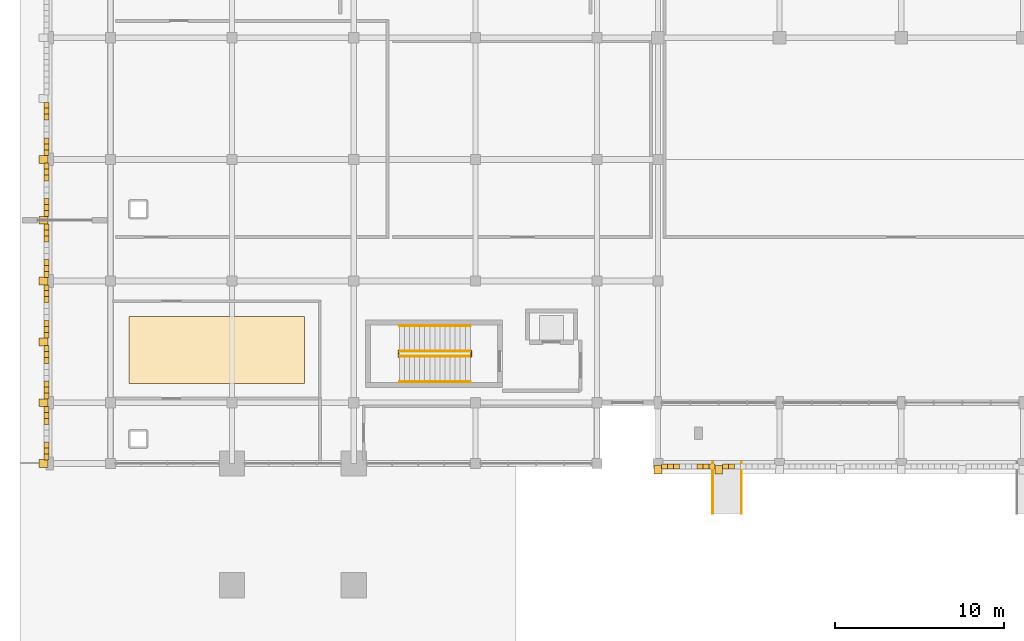
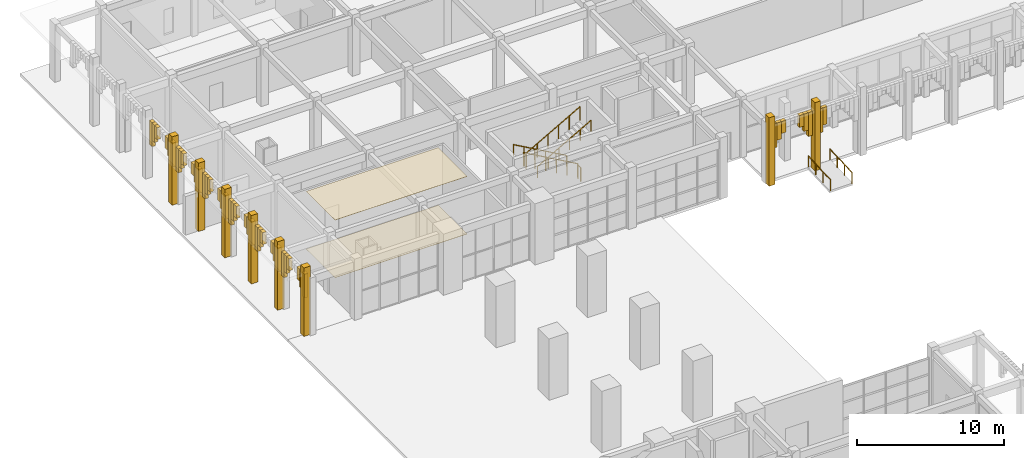
# One storey, part 51 of 72: 54 coverings, 8 railings.
"""IFC4 building model written with IfcOpenShell, lengths in metres."""

import ifcopenshell
import ifcopenshell.guid

model = None  # the IFC model being written
_history = None  # IfcOwnerHistory: only IFC2X3 demands one
_inside = {}  # id of a spatial element -> (the spatial element, [elements in it])
_under = {}  # id of a project, library or spatial element -> (it, [spatial elements below it])
_declared = {}  # id of a project -> (the project, [libraries it declares])
_typed = {}  # id of a type object -> (the type object, [elements of that type])
_made_of = {}  # id of a material, layer set ... -> (it, [elements and type objects made of it])


def new_model(schema):
    """Start an empty IFC model of exactly this schema.

    Asked for "IFC4X3", IfcOpenShell would pick the latest addendum, in which some entities
    have other attributes; the version numbers below select the first issue.
    IFC2X3 requires an IfcOwnerHistory on every rooted entity: one is made here for all.
    """
    global model, _history
    if schema == "IFC4X3":
        model = ifcopenshell.file(schema_version=(4, 3, 0, 0))
    else:
        model = ifcopenshell.file(schema=schema)
    _inside.clear()
    _under.clear()
    _declared.clear()
    _typed.clear()
    _made_of.clear()
    _history = None
    if model.schema == "IFC2X3":
        org = make("IfcOrganization", Name="unknown")
        user = make(
            "IfcPersonAndOrganization",
            ThePerson=make("IfcPerson", FamilyName="unknown"),
            TheOrganization=org,
        )
        app = make(
            "IfcApplication",
            ApplicationDeveloper=org,
            Version="unknown",
            ApplicationFullName="unknown",
            ApplicationIdentifier="unknown",
        )
        _history = make(
            "IfcOwnerHistory",
            OwningUser=user,
            OwningApplication=app,
            ChangeAction="ADDED",
            CreationDate=0,
        )
    return model


def make(cls, **values):
    """One entity of the class cls with the attributes given. An attribute that is None is left unset."""
    return model.create_entity(
        cls, **{name: value for name, value in values.items() if value is not None}
    )


def rooted(cls, **values):
    """An entity with a GlobalId (a new one), such as an element, a storey or a relation."""
    return make(cls, GlobalId=ifcopenshell.guid.new(), OwnerHistory=_history, **values)


def si_unit(unit_type, name, prefix=None):
    """IfcSIUnit, for example si_unit("LENGTHUNIT", "METRE", prefix="MILLI")."""
    return make("IfcSIUnit", UnitType=unit_type, Prefix=prefix, Name=name)


def assignment(units):
    """IfcUnitAssignment: the units of a project."""
    return None if units is None else make("IfcUnitAssignment", Units=units)


def point(xyz):
    """IfcCartesianPoint."""
    return None if xyz is None else make("IfcCartesianPoint", Coordinates=xyz)


def direction(xyz):
    """IfcDirection."""
    return None if xyz is None else make("IfcDirection", DirectionRatios=xyz)


def frame(location, z_axis=None, x_axis=None):
    """IfcAxis2Placement3D, a coordinate frame: its origin and axes. An axis left out is left unset."""
    return make(
        "IfcAxis2Placement3D",
        Location=point(location),
        Axis=direction(z_axis),
        RefDirection=direction(x_axis),
    )


def frame_2d(location, x_axis=None):
    """IfcAxis2Placement2D, a coordinate frame in the plane: its origin and x axis."""
    return make(
        "IfcAxis2Placement2D", Location=point(location), RefDirection=direction(x_axis)
    )


def origin():
    """The frame at (0, 0, 0) with its axes left unset."""
    return frame((0.0, 0.0, 0.0))


def origin_2d():
    """The frame at (0, 0) in the plane with its x axis left unset."""
    return frame_2d((0.0, 0.0))


def place(relative_to, where):
    """IfcLocalPlacement: puts the frame where relative to a parent placement (None: the world)."""
    return make(
        "IfcLocalPlacement", PlacementRelTo=relative_to, RelativePlacement=where
    )


def context(
    kind, dimensions, precision=None, world=None, true_north=None, identifier=None
):
    """IfcGeometricRepresentationContext, for example the 3D "Model" context."""
    return make(
        "IfcGeometricRepresentationContext",
        ContextIdentifier=identifier,
        ContextType=kind,
        CoordinateSpaceDimension=dimensions,
        Precision=precision,
        WorldCoordinateSystem=world,
        TrueNorth=true_north,
    )


def subcontext(parent, identifier, kind, view, scale=None):
    """IfcGeometricRepresentationSubContext, for example "Body" below "Model"."""
    return make(
        "IfcGeometricRepresentationSubContext",
        ContextIdentifier=identifier,
        ContextType=kind,
        ParentContext=parent,
        TargetScale=scale,
        TargetView=view,
    )


def project(units=None, contexts=None):
    """IfcProject with its units and contexts."""
    return rooted(
        "IfcProject",
        Name="project",
        RepresentationContexts=contexts,
        UnitsInContext=assignment(units),
    )


def spatial(cls, under=None, at=None, **own):
    """A site, building, storey or space (cls), placed at a placement, below another one or the project."""
    s = rooted(cls, ObjectPlacement=at, **own)
    if under is not None:
        _under.setdefault(under.id(), (under, []))[1].append(s)
    return s


def polyline(points):
    """IfcPolyline through the points."""
    return make("IfcPolyline", Points=[point(p) for p in points])


def profile(cls, at=None, kind="AREA", **sizes):
    """A parametric profile (cls). Its sizes go by their IFC names, for example OverallWidth=200.0."""
    return make(cls, ProfileType=kind, Position=at, **sizes)


def rectangle(**sizes):
    """IfcRectangleProfileDef."""
    return profile("IfcRectangleProfileDef", **sizes)


def circle(**sizes):
    """IfcCircleProfileDef."""
    return profile("IfcCircleProfileDef", **sizes)


def outline(outer, holes=None, kind="AREA"):
    """IfcArbitraryClosedProfileDef: a profile drawn as a closed curve; with holes, ...WithVoids."""
    if holes is None:
        return make("IfcArbitraryClosedProfileDef", ProfileType=kind, OuterCurve=outer)
    return make(
        "IfcArbitraryProfileDefWithVoids",
        ProfileType=kind,
        OuterCurve=outer,
        InnerCurves=holes,
    )


def extrude(swept, where, along, depth):
    """IfcExtrudedAreaSolid: the profile swept, set in the frame where, extruded along a direction by depth."""
    return make(
        "IfcExtrudedAreaSolid",
        SweptArea=swept,
        Position=where,
        ExtrudedDirection=direction(along),
        Depth=depth,
    )


def shape(context_of_items, identifier, shape_type, items):
    """IfcShapeRepresentation: the items that make up one representation, for example the "Body"."""
    return make(
        "IfcShapeRepresentation",
        ContextOfItems=context_of_items,
        RepresentationIdentifier=identifier,
        RepresentationType=shape_type,
        Items=items,
    )


def material(Name=None, Category=None):
    """IfcMaterial."""
    return make("IfcMaterial", Name=Name, Category=Category)


def layer(
    of_material, thickness, ventilated=None, Name=None, Category=None, Priority=None
):
    """IfcMaterialLayer: one layer of a wall or slab, of a material (None: an air gap)."""
    return make(
        "IfcMaterialLayer",
        Material=of_material,
        LayerThickness=thickness,
        IsVentilated=ventilated,
        Name=Name,
        Category=Category,
        Priority=Priority,
    )


def layer_set(layers, Name=None):
    """IfcMaterialLayerSet."""
    return make("IfcMaterialLayerSet", MaterialLayers=layers, LayerSetName=Name)


def made_of(thing, what):
    """Note that an element or type object is made of a material, layer set ...; save() writes the relation."""
    if what is not None:
        _made_of.setdefault(what.id(), (what, []))[1].append(thing)
    return thing


def type_object(cls, material=None, **own):
    """A type object (cls), such as IfcWallType, which elements share."""
    return made_of(rooted(cls, **own), material)


def element(
    cls,
    number,
    at=None,
    inside=None,
    cuts=None,
    type_object=None,
    material=None,
    context=None,
    identifier="Body",
    shape_type=None,
    held_by="IfcProductDefinitionShape",
    body=None,
    shapes=None,
    **own,
):
    """One element of the class cls, such as IfcWall. Its Tag is "e" and its number.

    at: its placement. inside: the storey or other place that contains it. cuts: it is an
    opening in that element (IfcRelVoidsElement). A single representation is given by context,
    identifier, shape_type and body (its items); several are given by shapes. held_by: the class
    of the entity that holds the representations. save() writes the other relations.
    """
    e = rooted(cls, Tag="e%d" % number, ObjectPlacement=at, **own)
    if body is not None:
        shapes = [shape(context, identifier, shape_type, body)]
    if shapes is not None:
        e.Representation = make(held_by, Representations=shapes)
    if inside is not None:
        _inside.setdefault(inside.id(), (inside, []))[1].append(e)
    if cuts is not None:
        rooted(
            "IfcRelVoidsElement", RelatingBuildingElement=cuts, RelatedOpeningElement=e
        )
    if type_object is not None:
        _typed.setdefault(type_object.id(), (type_object, []))[1].append(e)
    return made_of(e, material)


def aggregate(whole, parts):
    """IfcRelAggregates: a whole, such as a stair, and the parts it consists of."""
    return rooted("IfcRelAggregates", RelatingObject=whole, RelatedObjects=parts)


def save(model, path):
    """Write the relations noted so far, then the file.

    IfcRelAggregates (storeys below a building ...), IfcRelContainedInSpatialStructure (elements
    in a storey), IfcRelDefinesByType, IfcRelAssociatesMaterial and IfcRelDeclares: one each for
    every whole, place, type object, material and project.
    """
    for whole, parts in _under.values():
        aggregate(whole, parts)
    for where, things in _inside.values():
        rooted(
            "IfcRelContainedInSpatialStructure",
            RelatedElements=things,
            RelatingStructure=where,
        )
    for kind, things in _typed.values():
        rooted("IfcRelDefinesByType", RelatedObjects=things, RelatingType=kind)
    for what, things in _made_of.values():
        rooted("IfcRelAssociatesMaterial", RelatedObjects=things, RelatingMaterial=what)
    for by, libraries in _declared.values():
        rooted("IfcRelDeclares", RelatingContext=by, RelatedDefinitions=libraries)
    model.write(path)


model = new_model("IFC4")

# Units and contexts
model_context = context("Model", 3, precision=1e-05, world=origin(), true_north=direction((0.0, 1.0)))
body_context = subcontext(model_context, "Body", "Model", "MODEL_VIEW")
ifc_project = project(units=[si_unit("LENGTHUNIT", "METRE"), si_unit("AREAUNIT", "SQUARE_METRE"), si_unit("VOLUMEUNIT", "CUBIC_METRE"), si_unit("PLANEANGLEUNIT", "RADIAN"), si_unit("MASSUNIT", "GRAM", prefix="KILO")], contexts=[model_context])

# Site, building, storey
site_placement = place(None, origin())
site = spatial("IfcSite", under=ifc_project, at=site_placement, CompositionType="ELEMENT")
building_placement = place(site_placement, origin())
building = spatial("IfcBuilding", under=site, at=building_placement, Name="Nzembalo Square Collegiate School", CompositionType="ELEMENT")
storey_placement = place(building_placement, origin())
storey = spatial("IfcBuildingStorey", under=building, at=storey_placement, Name="L00", CompositionType="ELEMENT", Elevation=0.0)

# Coverings
ifc_material_1 = material(Name="Precast concrete C40/50 arch voussoir", Category="concrete")
ifc_layer_1 = layer(ifc_material_1, 0.1201171875, Name="Precast concrete C40/50 arch voussoir")
ifc_layer_set_1 = layer_set([ifc_layer_1], Name="Precast concrete C40/50 arch voussoir")
covering_type_1 = type_object("IfcCoveringType", Name="AR01", PredefinedType="CLADDING", material=ifc_layer_set_1)
covering_1_placement = place(storey_placement, frame((4.6201171875, 79.595703125, 2.808349609375), z_axis=(0.0, 0.0, 1.0), x_axis=(1.0, 0.0, 0.0)))
element("IfcCovering", 1, at=covering_1_placement, inside=storey, type_object=covering_type_1, Name="Gothic pointed arch voussoir AR01-013-0", PredefinedType="CLADDING", context=body_context, shape_type="SweptSolid", body=[
    extrude(rectangle(XDim=0.280029296875, YDim=0.35107421875, at=origin_2d()), origin(), (0.0, 0.0, 1.0), 1.99169921875),
])
covering_2_placement = place(storey_placement, frame((4.6201171875, 79.94677734375, 3.361083984375), z_axis=(0.0, 0.0, 1.0), x_axis=(1.0, 0.0, 0.0)))
element("IfcCovering", 2, at=covering_2_placement, inside=storey, type_object=covering_type_1, Name="Gothic pointed arch voussoir AR01-013-1", PredefinedType="CLADDING", context=body_context, shape_type="SweptSolid", body=[
    extrude(rectangle(XDim=0.280029296875, YDim=0.35107421875, at=origin_2d()), origin(), (0.0, 0.0, 1.0), 1.43896484375),
])
for number, where, z_axis, x_axis, name in (
    (3, (4.6201171875, 80.297607421875, 3.810546875), (0.0, 0.0, 1.0), (1.0, 0.0, 0.0), "Gothic pointed arch voussoir AR01-013-2"),
    (4, (4.6201171875, 81.7021484375, 3.810546875), (0.0, 0.0, 1.0), (1.0, 0.0, 0.0), "Gothic pointed arch voussoir AR01-013-6"),
):
    element("IfcCovering", number, at=place(storey_placement, frame(where, z_axis=z_axis, x_axis=x_axis)), inside=storey, type_object=covering_type_1, Name=name, PredefinedType="CLADDING", context=body_context, shape_type="SweptSolid", body=[
        extrude(rectangle(XDim=0.280029296875, YDim=0.35107421875, at=origin_2d()), origin(), (0.0, 0.0, 1.0), 0.989501953125),
    ])
covering_3_placement = place(storey_placement, frame((4.6201171875, 82.05322265625, 3.361328125), z_axis=(0.0, 0.0, 1.0), x_axis=(1.0, 0.0, 0.0)))
element("IfcCovering", 5, at=covering_3_placement, inside=storey, type_object=covering_type_1, Name="Gothic pointed arch voussoir AR01-013-7", PredefinedType="CLADDING", context=body_context, shape_type="SweptSolid", body=[
    extrude(rectangle(XDim=0.280029296875, YDim=0.35107421875, at=origin_2d()), origin(), (0.0, 0.0, 1.0), 1.438720703125),
])
covering_4_placement = place(storey_placement, frame((4.6201171875, 82.404296875, 2.80859375), z_axis=(0.0, 0.0, 1.0), x_axis=(1.0, 0.0, 0.0)))
element("IfcCovering", 6, at=covering_4_placement, inside=storey, type_object=covering_type_1, Name="Gothic pointed arch voussoir AR01-013-8", PredefinedType="CLADDING", context=body_context, shape_type="SweptSolid", body=[
    extrude(rectangle(XDim=0.280029296875, YDim=0.35107421875, at=origin_2d()), origin(), (0.0, 0.0, 1.0), 1.991455078125),
])
covering_5_placement = place(storey_placement, frame((4.43994140625, 79.199951171875, 0.0), z_axis=(0.0, 0.0, 1.0), x_axis=(1.0, 0.0, 0.0)))
element("IfcCovering", 7, at=covering_5_placement, inside=storey, type_object=covering_type_1, Name="Gothic arcade buttress pinnacle AR01-B013", PredefinedType="CLADDING", context=body_context, shape_type="SweptSolid", body=[
    extrude(rectangle(XDim=0.52001953125, YDim=0.4599609375, at=origin_2d()), origin(), (0.0, 0.0, 1.0), 5.699951171875),
])
covering_6_placement = place(storey_placement, frame((4.6201171875, 83.195556640625, 2.808349609375), z_axis=(0.0, 0.0, 1.0), x_axis=(1.0, 0.0, 0.0)))
element("IfcCovering", 8, at=covering_6_placement, inside=storey, type_object=covering_type_1, Name="Gothic pointed arch voussoir AR01-014-0", PredefinedType="CLADDING", context=body_context, shape_type="SweptSolid", body=[
    extrude(rectangle(XDim=0.280029296875, YDim=0.35107421875, at=origin_2d()), origin(), (0.0, 0.0, 1.0), 1.99169921875),
])
covering_7_placement = place(storey_placement, frame((4.6201171875, 83.546630859375, 3.361083984375), z_axis=(0.0, 0.0, 1.0), x_axis=(1.0, 0.0, 0.0)))
element("IfcCovering", 9, at=covering_7_placement, inside=storey, type_object=covering_type_1, Name="Gothic pointed arch voussoir AR01-014-1", PredefinedType="CLADDING", context=body_context, shape_type="SweptSolid", body=[
    extrude(rectangle(XDim=0.280029296875, YDim=0.35107421875, at=origin_2d()), origin(), (0.0, 0.0, 1.0), 1.43896484375),
])
for number, where, z_axis, x_axis, name in (
    (10, (4.6201171875, 83.897705078125, 3.810546875), (0.0, 0.0, 1.0), (1.0, 0.0, 0.0), "Gothic pointed arch voussoir AR01-014-2"),
    (11, (4.6201171875, 85.302001953125, 3.810546875), (0.0, 0.0, 1.0), (1.0, 0.0, 0.0), "Gothic pointed arch voussoir AR01-014-6"),
):
    element("IfcCovering", number, at=place(storey_placement, frame(where, z_axis=z_axis, x_axis=x_axis)), inside=storey, type_object=covering_type_1, Name=name, PredefinedType="CLADDING", context=body_context, shape_type="SweptSolid", body=[
        extrude(rectangle(XDim=0.280029296875, YDim=0.35107421875, at=origin_2d()), origin(), (0.0, 0.0, 1.0), 0.989501953125),
    ])
covering_8_placement = place(storey_placement, frame((4.6201171875, 85.6533203125, 3.361328125), z_axis=(0.0, 0.0, 1.0), x_axis=(1.0, 0.0, 0.0)))
element("IfcCovering", 12, at=covering_8_placement, inside=storey, type_object=covering_type_1, Name="Gothic pointed arch voussoir AR01-014-7", PredefinedType="CLADDING", context=body_context, shape_type="SweptSolid", body=[
    extrude(rectangle(XDim=0.280029296875, YDim=0.35107421875, at=origin_2d()), origin(), (0.0, 0.0, 1.0), 1.438720703125),
])
covering_9_placement = place(storey_placement, frame((4.6201171875, 86.00439453125, 2.80859375), z_axis=(0.0, 0.0, 1.0), x_axis=(1.0, 0.0, 0.0)))
element("IfcCovering", 13, at=covering_9_placement, inside=storey, type_object=covering_type_1, Name="Gothic pointed arch voussoir AR01-014-8", PredefinedType="CLADDING", context=body_context, shape_type="SweptSolid", body=[
    extrude(rectangle(XDim=0.280029296875, YDim=0.35107421875, at=origin_2d()), origin(), (0.0, 0.0, 1.0), 1.991455078125),
])
covering_10_placement = place(storey_placement, frame((4.43994140625, 82.800048828125, 0.0), z_axis=(0.0, 0.0, 1.0), x_axis=(1.0, 0.0, 0.0)))
element("IfcCovering", 14, at=covering_10_placement, inside=storey, type_object=covering_type_1, Name="Gothic arcade buttress pinnacle AR01-B014", PredefinedType="CLADDING", context=body_context, shape_type="SweptSolid", body=[
    extrude(rectangle(XDim=0.52001953125, YDim=0.4599609375, at=origin_2d()), origin(), (0.0, 0.0, 1.0), 5.699951171875),
])
covering_11_placement = place(storey_placement, frame((4.6201171875, 86.79541015625, 2.808349609375), z_axis=(0.0, 0.0, 1.0), x_axis=(1.0, 0.0, 0.0)))
element("IfcCovering", 15, at=covering_11_placement, inside=storey, type_object=covering_type_1, Name="Gothic pointed arch voussoir AR01-015-0", PredefinedType="CLADDING", context=body_context, shape_type="SweptSolid", body=[
    extrude(rectangle(XDim=0.280029296875, YDim=0.35107421875, at=origin_2d()), origin(), (0.0, 0.0, 1.0), 1.99169921875),
])
covering_12_placement = place(storey_placement, frame((4.6201171875, 87.146484375, 3.361083984375), z_axis=(0.0, 0.0, 1.0), x_axis=(1.0, 0.0, 0.0)))
element("IfcCovering", 16, at=covering_12_placement, inside=storey, type_object=covering_type_1, Name="Gothic pointed arch voussoir AR01-015-1", PredefinedType="CLADDING", context=body_context, shape_type="SweptSolid", body=[
    extrude(rectangle(XDim=0.280029296875, YDim=0.35107421875, at=origin_2d()), origin(), (0.0, 0.0, 1.0), 1.43896484375),
])
for number, where, z_axis, x_axis, name in (
    (17, (4.6201171875, 87.497802734375, 3.810546875), (0.0, 0.0, 1.0), (1.0, 0.0, 0.0), "Gothic pointed arch voussoir AR01-015-2"),
    (18, (4.6201171875, 88.902099609375, 3.810546875), (0.0, 0.0, 1.0), (1.0, 0.0, 0.0), "Gothic pointed arch voussoir AR01-015-6"),
):
    element("IfcCovering", number, at=place(storey_placement, frame(where, z_axis=z_axis, x_axis=x_axis)), inside=storey, type_object=covering_type_1, Name=name, PredefinedType="CLADDING", context=body_context, shape_type="SweptSolid", body=[
        extrude(rectangle(XDim=0.280029296875, YDim=0.35107421875, at=origin_2d()), origin(), (0.0, 0.0, 1.0), 0.989501953125),
    ])
covering_13_placement = place(storey_placement, frame((4.6201171875, 89.253173828125, 3.361328125), z_axis=(0.0, 0.0, 1.0), x_axis=(1.0, 0.0, 0.0)))
element("IfcCovering", 19, at=covering_13_placement, inside=storey, type_object=covering_type_1, Name="Gothic pointed arch voussoir AR01-015-7", PredefinedType="CLADDING", context=body_context, shape_type="SweptSolid", body=[
    extrude(rectangle(XDim=0.280029296875, YDim=0.35107421875, at=origin_2d()), origin(), (0.0, 0.0, 1.0), 1.438720703125),
])
covering_14_placement = place(storey_placement, frame((4.6201171875, 89.604248046875, 2.80859375), z_axis=(0.0, 0.0, 1.0), x_axis=(1.0, 0.0, 0.0)))
element("IfcCovering", 20, at=covering_14_placement, inside=storey, type_object=covering_type_1, Name="Gothic pointed arch voussoir AR01-015-8", PredefinedType="CLADDING", context=body_context, shape_type="SweptSolid", body=[
    extrude(rectangle(XDim=0.280029296875, YDim=0.35107421875, at=origin_2d()), origin(), (0.0, 0.0, 1.0), 1.991455078125),
])
covering_15_placement = place(storey_placement, frame((4.43994140625, 86.39990234375, 0.0), z_axis=(0.0, 0.0, 1.0), x_axis=(1.0, 0.0, 0.0)))
element("IfcCovering", 21, at=covering_15_placement, inside=storey, type_object=covering_type_1, Name="Gothic arcade buttress pinnacle AR01-B015", PredefinedType="CLADDING", context=body_context, shape_type="SweptSolid", body=[
    extrude(rectangle(XDim=0.52001953125, YDim=0.4599609375, at=origin_2d()), origin(), (0.0, 0.0, 1.0), 5.699951171875),
])
covering_16_placement = place(storey_placement, frame((4.6201171875, 90.3955078125, 2.808349609375), z_axis=(0.0, 0.0, 1.0), x_axis=(1.0, 0.0, 0.0)))
element("IfcCovering", 22, at=covering_16_placement, inside=storey, type_object=covering_type_1, Name="Gothic pointed arch voussoir AR01-016-0", PredefinedType="CLADDING", context=body_context, shape_type="SweptSolid", body=[
    extrude(rectangle(XDim=0.280029296875, YDim=0.35107421875, at=origin_2d()), origin(), (0.0, 0.0, 1.0), 1.99169921875),
])
covering_17_placement = place(storey_placement, frame((4.6201171875, 90.74658203125, 3.361083984375), z_axis=(0.0, 0.0, 1.0), x_axis=(1.0, 0.0, 0.0)))
element("IfcCovering", 23, at=covering_17_placement, inside=storey, type_object=covering_type_1, Name="Gothic pointed arch voussoir AR01-016-1", PredefinedType="CLADDING", context=body_context, shape_type="SweptSolid", body=[
    extrude(rectangle(XDim=0.280029296875, YDim=0.35107421875, at=origin_2d()), origin(), (0.0, 0.0, 1.0), 1.43896484375),
])
for number, where, z_axis, x_axis, name in (
    (24, (4.6201171875, 91.09765625, 3.810546875), (0.0, 0.0, 1.0), (1.0, 0.0, 0.0), "Gothic pointed arch voussoir AR01-016-2"),
    (25, (4.6201171875, 92.502197265625, 3.810546875), (0.0, 0.0, 1.0), (1.0, 0.0, 0.0), "Gothic pointed arch voussoir AR01-016-6"),
):
    element("IfcCovering", number, at=place(storey_placement, frame(where, z_axis=z_axis, x_axis=x_axis)), inside=storey, type_object=covering_type_1, Name=name, PredefinedType="CLADDING", context=body_context, shape_type="SweptSolid", body=[
        extrude(rectangle(XDim=0.280029296875, YDim=0.35107421875, at=origin_2d()), origin(), (0.0, 0.0, 1.0), 0.989501953125),
    ])
covering_18_placement = place(storey_placement, frame((4.6201171875, 92.853271484375, 3.361328125), z_axis=(0.0, 0.0, 1.0), x_axis=(1.0, 0.0, 0.0)))
element("IfcCovering", 26, at=covering_18_placement, inside=storey, type_object=covering_type_1, Name="Gothic pointed arch voussoir AR01-016-7", PredefinedType="CLADDING", context=body_context, shape_type="SweptSolid", body=[
    extrude(rectangle(XDim=0.280029296875, YDim=0.35107421875, at=origin_2d()), origin(), (0.0, 0.0, 1.0), 1.438720703125),
])
covering_19_placement = place(storey_placement, frame((4.6201171875, 93.204345703125, 2.80859375), z_axis=(0.0, 0.0, 1.0), x_axis=(1.0, 0.0, 0.0)))
element("IfcCovering", 27, at=covering_19_placement, inside=storey, type_object=covering_type_1, Name="Gothic pointed arch voussoir AR01-016-8", PredefinedType="CLADDING", context=body_context, shape_type="SweptSolid", body=[
    extrude(rectangle(XDim=0.280029296875, YDim=0.35107421875, at=origin_2d()), origin(), (0.0, 0.0, 1.0), 1.991455078125),
])
covering_20_placement = place(storey_placement, frame((4.43994140625, 90.0, 0.0), z_axis=(0.0, 0.0, 1.0), x_axis=(1.0, 0.0, 0.0)))
element("IfcCovering", 28, at=covering_20_placement, inside=storey, type_object=covering_type_1, Name="Gothic arcade buttress pinnacle AR01-B016", PredefinedType="CLADDING", context=body_context, shape_type="SweptSolid", body=[
    extrude(rectangle(XDim=0.52001953125, YDim=0.4599609375, at=origin_2d()), origin(), (0.0, 0.0, 1.0), 5.699951171875),
])
covering_21_placement = place(storey_placement, frame((4.6201171875, 93.99560546875, 2.808349609375), z_axis=(0.0, 0.0, 1.0), x_axis=(1.0, 0.0, 0.0)))
element("IfcCovering", 29, at=covering_21_placement, inside=storey, type_object=covering_type_1, Name="Gothic pointed arch voussoir AR01-017-0", PredefinedType="CLADDING", context=body_context, shape_type="SweptSolid", body=[
    extrude(rectangle(XDim=0.280029296875, YDim=0.35107421875, at=origin_2d()), origin(), (0.0, 0.0, 1.0), 1.99169921875),
])
covering_22_placement = place(storey_placement, frame((4.6201171875, 94.3466796875, 3.361083984375), z_axis=(0.0, 0.0, 1.0), x_axis=(1.0, 0.0, 0.0)))
element("IfcCovering", 30, at=covering_22_placement, inside=storey, type_object=covering_type_1, Name="Gothic pointed arch voussoir AR01-017-1", PredefinedType="CLADDING", context=body_context, shape_type="SweptSolid", body=[
    extrude(rectangle(XDim=0.280029296875, YDim=0.35107421875, at=origin_2d()), origin(), (0.0, 0.0, 1.0), 1.43896484375),
])
for number, where, z_axis, x_axis, name in (
    (31, (4.6201171875, 94.69775390625, 3.810546875), (0.0, 0.0, 1.0), (1.0, 0.0, 0.0), "Gothic pointed arch voussoir AR01-017-2"),
    (32, (4.6201171875, 96.10205078125, 3.810546875), (0.0, 0.0, 1.0), (1.0, 0.0, 0.0), "Gothic pointed arch voussoir AR01-017-6"),
):
    element("IfcCovering", number, at=place(storey_placement, frame(where, z_axis=z_axis, x_axis=x_axis)), inside=storey, type_object=covering_type_1, Name=name, PredefinedType="CLADDING", context=body_context, shape_type="SweptSolid", body=[
        extrude(rectangle(XDim=0.280029296875, YDim=0.35107421875, at=origin_2d()), origin(), (0.0, 0.0, 1.0), 0.989501953125),
    ])
covering_23_placement = place(storey_placement, frame((4.6201171875, 96.453125, 3.361328125), z_axis=(0.0, 0.0, 1.0), x_axis=(1.0, 0.0, 0.0)))
element("IfcCovering", 33, at=covering_23_placement, inside=storey, type_object=covering_type_1, Name="Gothic pointed arch voussoir AR01-017-7", PredefinedType="CLADDING", context=body_context, shape_type="SweptSolid", body=[
    extrude(rectangle(XDim=0.280029296875, YDim=0.35107421875, at=origin_2d()), origin(), (0.0, 0.0, 1.0), 1.438720703125),
])
covering_24_placement = place(storey_placement, frame((4.6201171875, 96.80419921875, 2.80859375), z_axis=(0.0, 0.0, 1.0), x_axis=(1.0, 0.0, 0.0)))
element("IfcCovering", 34, at=covering_24_placement, inside=storey, type_object=covering_type_1, Name="Gothic pointed arch voussoir AR01-017-8", PredefinedType="CLADDING", context=body_context, shape_type="SweptSolid", body=[
    extrude(rectangle(XDim=0.280029296875, YDim=0.35107421875, at=origin_2d()), origin(), (0.0, 0.0, 1.0), 1.991455078125),
])
covering_25_placement = place(storey_placement, frame((4.43994140625, 93.60009765625, 0.0), z_axis=(0.0, 0.0, 1.0), x_axis=(1.0, 0.0, 0.0)))
element("IfcCovering", 35, at=covering_25_placement, inside=storey, type_object=covering_type_1, Name="Gothic arcade buttress pinnacle AR01-B017", PredefinedType="CLADDING", context=body_context, shape_type="SweptSolid", body=[
    extrude(rectangle(XDim=0.52001953125, YDim=0.4599609375, at=origin_2d()), origin(), (0.0, 0.0, 1.0), 5.699951171875),
])
covering_26_placement = place(storey_placement, frame((4.6201171875, 97.595458984375, 2.808349609375), z_axis=(0.0, 0.0, 1.0), x_axis=(1.0, 0.0, 0.0)))
element("IfcCovering", 36, at=covering_26_placement, inside=storey, type_object=covering_type_1, Name="Gothic pointed arch voussoir AR01-018-0", PredefinedType="CLADDING", context=body_context, shape_type="SweptSolid", body=[
    extrude(rectangle(XDim=0.280029296875, YDim=0.35107421875, at=origin_2d()), origin(), (0.0, 0.0, 1.0), 1.99169921875),
])
covering_27_placement = place(storey_placement, frame((4.6201171875, 97.946533203125, 3.361083984375), z_axis=(0.0, 0.0, 1.0), x_axis=(1.0, 0.0, 0.0)))
element("IfcCovering", 37, at=covering_27_placement, inside=storey, type_object=covering_type_1, Name="Gothic pointed arch voussoir AR01-018-1", PredefinedType="CLADDING", context=body_context, shape_type="SweptSolid", body=[
    extrude(rectangle(XDim=0.280029296875, YDim=0.35107421875, at=origin_2d()), origin(), (0.0, 0.0, 1.0), 1.43896484375),
])
for number, where, z_axis, x_axis, name in (
    (38, (4.6201171875, 98.297607421875, 3.810546875), (0.0, 0.0, 1.0), (1.0, 0.0, 0.0), "Gothic pointed arch voussoir AR01-018-2"),
    (39, (4.6201171875, 99.7021484375, 3.810546875), (0.0, 0.0, 1.0), (1.0, 0.0, 0.0), "Gothic pointed arch voussoir AR01-018-6"),
):
    element("IfcCovering", number, at=place(storey_placement, frame(where, z_axis=z_axis, x_axis=x_axis)), inside=storey, type_object=covering_type_1, Name=name, PredefinedType="CLADDING", context=body_context, shape_type="SweptSolid", body=[
        extrude(rectangle(XDim=0.280029296875, YDim=0.35107421875, at=origin_2d()), origin(), (0.0, 0.0, 1.0), 0.989501953125),
    ])
covering_28_placement = place(storey_placement, frame((4.6201171875, 100.05322265625, 3.361328125), z_axis=(0.0, 0.0, 1.0), x_axis=(1.0, 0.0, 0.0)))
element("IfcCovering", 40, at=covering_28_placement, inside=storey, type_object=covering_type_1, Name="Gothic pointed arch voussoir AR01-018-7", PredefinedType="CLADDING", context=body_context, shape_type="SweptSolid", body=[
    extrude(rectangle(XDim=0.280029296875, YDim=0.35107421875, at=origin_2d()), origin(), (0.0, 0.0, 1.0), 1.438720703125),
])
covering_29_placement = place(storey_placement, frame((4.6201171875, 100.404296875, 2.80859375), z_axis=(0.0, 0.0, 1.0), x_axis=(1.0, 0.0, 0.0)))
element("IfcCovering", 41, at=covering_29_placement, inside=storey, type_object=covering_type_1, Name="Gothic pointed arch voussoir AR01-018-8", PredefinedType="CLADDING", context=body_context, shape_type="SweptSolid", body=[
    extrude(rectangle(XDim=0.280029296875, YDim=0.35107421875, at=origin_2d()), origin(), (0.0, 0.0, 1.0), 1.991455078125),
])
covering_30_placement = place(storey_placement, frame((4.43994140625, 97.199951171875, 0.0), z_axis=(0.0, 0.0, 1.0), x_axis=(1.0, 0.0, 0.0)))
element("IfcCovering", 42, at=covering_30_placement, inside=storey, type_object=covering_type_1, Name="Gothic arcade buttress pinnacle AR01-B018", PredefinedType="CLADDING", context=body_context, shape_type="SweptSolid", body=[
    extrude(rectangle(XDim=0.52001953125, YDim=0.4599609375, at=origin_2d()), origin(), (0.0, 0.0, 1.0), 5.699951171875),
])
covering_31_placement = place(storey_placement, frame((41.195556640625, 79.02001953125, 2.808349609375), z_axis=(0.0, 0.0, 1.0), x_axis=(1.0, 0.0, 0.0)))
element("IfcCovering", 43, at=covering_31_placement, inside=storey, type_object=covering_type_1, Name="Gothic pointed arch voussoir AR01-042-0", PredefinedType="CLADDING", context=body_context, shape_type="SweptSolid", body=[
    extrude(rectangle(XDim=0.35107421875, YDim=0.280029296875, at=origin_2d()), origin(), (0.0, 0.0, 1.0), 1.99169921875),
])
covering_32_placement = place(storey_placement, frame((41.546630859375, 79.02001953125, 3.361083984375), z_axis=(0.0, 0.0, 1.0), x_axis=(1.0, 0.0, 0.0)))
element("IfcCovering", 44, at=covering_32_placement, inside=storey, type_object=covering_type_1, Name="Gothic pointed arch voussoir AR01-042-1", PredefinedType="CLADDING", context=body_context, shape_type="SweptSolid", body=[
    extrude(rectangle(XDim=0.35107421875, YDim=0.280029296875, at=origin_2d()), origin(), (0.0, 0.0, 1.0), 1.43896484375),
])
for number, where, z_axis, x_axis, name in (
    (45, (41.897705078125, 79.02001953125, 3.810546875), (0.0, 0.0, 1.0), (1.0, 0.0, 0.0), "Gothic pointed arch voussoir AR01-042-2"),
    (46, (43.302001953125, 79.02001953125, 3.810546875), (0.0, 0.0, 1.0), (1.0, 0.0, 0.0), "Gothic pointed arch voussoir AR01-042-6"),
):
    element("IfcCovering", number, at=place(storey_placement, frame(where, z_axis=z_axis, x_axis=x_axis)), inside=storey, type_object=covering_type_1, Name=name, PredefinedType="CLADDING", context=body_context, shape_type="SweptSolid", body=[
        extrude(rectangle(XDim=0.35107421875, YDim=0.280029296875, at=origin_2d()), origin(), (0.0, 0.0, 1.0), 0.989501953125),
    ])
covering_33_placement = place(storey_placement, frame((43.6533203125, 79.02001953125, 3.361328125), z_axis=(0.0, 0.0, 1.0), x_axis=(1.0, 0.0, 0.0)))
element("IfcCovering", 47, at=covering_33_placement, inside=storey, type_object=covering_type_1, Name="Gothic pointed arch voussoir AR01-042-7", PredefinedType="CLADDING", context=body_context, shape_type="SweptSolid", body=[
    extrude(rectangle(XDim=0.35107421875, YDim=0.280029296875, at=origin_2d()), origin(), (0.0, 0.0, 1.0), 1.438720703125),
])
covering_34_placement = place(storey_placement, frame((44.00439453125, 79.02001953125, 2.80859375), z_axis=(0.0, 0.0, 1.0), x_axis=(1.0, 0.0, 0.0)))
element("IfcCovering", 48, at=covering_34_placement, inside=storey, type_object=covering_type_1, Name="Gothic pointed arch voussoir AR01-042-8", PredefinedType="CLADDING", context=body_context, shape_type="SweptSolid", body=[
    extrude(rectangle(XDim=0.35107421875, YDim=0.280029296875, at=origin_2d()), origin(), (0.0, 0.0, 1.0), 1.991455078125),
])
covering_35_placement = place(storey_placement, frame((40.800048828125, 78.840087890625, 0.0), z_axis=(0.0, 0.0, 1.0), x_axis=(1.0, 0.0, 0.0)))
element("IfcCovering", 49, at=covering_35_placement, inside=storey, type_object=covering_type_1, Name="Gothic arcade buttress pinnacle AR01-B042", PredefinedType="CLADDING", context=body_context, shape_type="SweptSolid", body=[
    extrude(rectangle(XDim=0.4599609375, YDim=0.52001953125, at=origin_2d()), origin(), (0.0, 0.0, 1.0), 5.699951171875),
])
covering_36_placement = place(storey_placement, frame((44.79541015625, 79.02001953125, 2.808349609375), z_axis=(0.0, 0.0, 1.0), x_axis=(1.0, 0.0, 0.0)))
element("IfcCovering", 50, at=covering_36_placement, inside=storey, type_object=covering_type_1, Name="Gothic pointed arch voussoir AR01-043-0", PredefinedType="CLADDING", context=body_context, shape_type="SweptSolid", body=[
    extrude(rectangle(XDim=0.35107421875, YDim=0.280029296875, at=origin_2d()), origin(), (0.0, 0.0, 1.0), 1.99169921875),
])
covering_37_placement = place(storey_placement, frame((45.146484375, 79.02001953125, 3.361083984375), z_axis=(0.0, 0.0, 1.0), x_axis=(1.0, 0.0, 0.0)))
element("IfcCovering", 51, at=covering_37_placement, inside=storey, type_object=covering_type_1, Name="Gothic pointed arch voussoir AR01-043-1", PredefinedType="CLADDING", context=body_context, shape_type="SweptSolid", body=[
    extrude(rectangle(XDim=0.35107421875, YDim=0.280029296875, at=origin_2d()), origin(), (0.0, 0.0, 1.0), 1.43896484375),
])
covering_38_placement = place(storey_placement, frame((44.39990234375, 78.840087890625, 0.0), z_axis=(0.0, 0.0, 1.0), x_axis=(1.0, 0.0, 0.0)))
element("IfcCovering", 52, at=covering_38_placement, inside=storey, type_object=covering_type_1, Name="Gothic arcade buttress pinnacle AR01-B043", PredefinedType="CLADDING", context=body_context, shape_type="SweptSolid", body=[
    extrude(rectangle(XDim=0.4599609375, YDim=0.52001953125, at=origin_2d()), origin(), (0.0, 0.0, 1.0), 5.699951171875),
])
ifc_material_2 = material(Name="Perforated acoustic mineral-fibre ceiling")
ifc_layer_2 = layer(ifc_material_2, 0.02490234375, Name="Perforated acoustic mineral-fibre ceiling")
ifc_layer_set_2 = layer_set([ifc_layer_2], Name="Perforated acoustic mineral-fibre ceiling")
covering_type_2 = type_object("IfcCoveringType", Name="CE01", PredefinedType="CEILING", material=ifc_layer_set_2)
covering_39_placement = place(storey_placement, frame((0.0, 0.0, 4.7900390625)))
element("IfcCovering", 53, at=covering_39_placement, inside=storey, type_object=covering_type_2, Name="Acoustic ceiling panel CE01-01", PredefinedType="CEILING", context=body_context, shape_type="SweptSolid", body=[
    extrude(outline(polyline([(9.5, 83.949951171875), (19.89990234375, 83.949951171875), (19.89990234375, 87.89990234375), (9.5, 87.89990234375), (9.5, 83.949951171875)])), origin(), (0.0, 0.0, 1.0), 0.02490234375),
])
ifc_material_3 = material(Name="Polished stone terrazzo flooring", Category="masonry")
ifc_layer_3 = layer(ifc_material_3, 0.02001953125, Name="Polished stone terrazzo flooring")
ifc_layer_set_3 = layer_set([ifc_layer_3], Name="Polished stone terrazzo flooring")
covering_type_3 = type_object("IfcCoveringType", Name="FL01", PredefinedType="FLOORING", material=ifc_layer_set_3)
covering_40_placement = place(storey_placement, origin())
element("IfcCovering", 54, at=covering_40_placement, inside=storey, type_object=covering_type_3, Name="Terrazzo finish flooring FL01-01", PredefinedType="FLOORING", context=body_context, shape_type="SweptSolid", body=[
    extrude(outline(polyline([(9.5, 83.949951171875), (19.89990234375, 83.949951171875), (19.89990234375, 87.89990234375), (9.5, 87.89990234375), (9.5, 83.949951171875)])), origin(), (0.0, 0.0, 1.0), 0.02001953125),
])

# Railings
ifc_material_4 = material(Name="Steel S355", Category="steel")
railing_type_1 = type_object("IfcRailingType", Name="GR01", PredefinedType="GUARDRAIL", material=ifc_material_4)
railing_1_placement = place(storey_placement, frame((29.699951171875, 85.85009765625, 0.159912109375)))
element("IfcRailing", 55, at=railing_1_placement, inside=storey, type_object=railing_type_1, Name="Stair guard GR-06-1", PredefinedType="GUARDRAIL", context=body_context, shape_type="SweptSolid", body=[
    extrude(circle(Radius=0.02392578125, at=origin_2d()), frame((0.0, 0.0, 1.1259765625), z_axis=(-0.870008446991, 0.0, 0.493036816236), x_axis=(0.0, -1.0, 0.0)), (0.0, 0.0, 1.0), 4.827392578125),
    extrude(circle(Radius=0.02099609375, at=origin_2d()), origin(), (0.0, 0.0, 1.0), 1.101806640625),
    extrude(circle(Radius=0.02099609375, at=origin_2d()), frame((-0.840087890625, 0.0, 0.47607421875)), (0.0, 0.0, 1.0), 1.101806640625),
    extrude(circle(Radius=0.02099609375, at=origin_2d()), frame((-1.679931640625, 0.0, 0.9521484375)), (0.0, 0.0, 1.0), 1.101806640625),
    extrude(circle(Radius=0.02099609375, at=origin_2d()), frame((-2.52001953125, 0.0, 1.427978515625)), (0.0, 0.0, 1.0), 1.101806640625),
    extrude(circle(Radius=0.02099609375, at=origin_2d()), frame((-3.35986328125, 0.0, 1.904052734375)), (0.0, 0.0, 1.0), 1.101806640625),
    extrude(circle(Radius=0.02099609375, at=origin_2d()), frame((-4.199951171875, 0.0, 2.380126953125)), (0.0, 0.0, 1.0), 1.101806640625),
])
railing_2_placement = place(storey_placement, frame((25.449951171875, 85.52001953125, 2.544921875)))
element("IfcRailing", 56, at=railing_2_placement, inside=storey, type_object=railing_type_1, Name="Stair guard GR-06-2", PredefinedType="GUARDRAIL", context=body_context, shape_type="SweptSolid", body=[
    extrude(circle(Radius=0.02392578125, at=origin_2d()), frame((0.0, 0.0, 1.1259765625), z_axis=(0.0, 1.0, 0.0), x_axis=(-1.0, 0.0, 0.0)), (0.0, 0.0, 1.0), 0.35986328125),
    extrude(circle(Radius=0.02099609375, at=origin_2d()), origin(), (0.0, 0.0, 1.0), 1.101806640625),
    extrude(circle(Radius=0.02099609375, at=origin_2d()), frame((0.0, 0.35986328125, 0.0)), (0.0, 0.0, 1.0), 1.101806640625),
])
railing_3_placement = place(storey_placement, frame((25.5, 85.550048828125, 2.7099609375)))
element("IfcRailing", 57, at=railing_3_placement, inside=storey, type_object=railing_type_1, Name="Stair guard GR-06-3", PredefinedType="GUARDRAIL", context=body_context, shape_type="SweptSolid", body=[
    extrude(circle(Radius=0.02392578125, at=origin_2d()), frame((0.0, 0.0, 1.1259765625), z_axis=(0.870008446991, 0.0, 0.493036816236), x_axis=(0.0, 1.0, 0.0)), (0.0, 0.0, 1.0), 4.827392578125),
    extrude(circle(Radius=0.02099609375, at=origin_2d()), origin(), (0.0, 0.0, 1.0), 1.101806640625),
    extrude(circle(Radius=0.02099609375, at=origin_2d()), frame((0.840087890625, 0.0, 0.47607421875)), (0.0, 0.0, 1.0), 1.101806640625),
    extrude(circle(Radius=0.02099609375, at=origin_2d()), frame((1.679931640625, 0.0, 0.9521484375)), (0.0, 0.0, 1.0), 1.101806640625),
    extrude(circle(Radius=0.02099609375, at=origin_2d()), frame((2.52001953125, 0.0, 1.427978515625)), (0.0, 0.0, 1.0), 1.101806640625),
    extrude(circle(Radius=0.02099609375, at=origin_2d()), frame((3.35986328125, 0.0, 1.904052734375)), (0.0, 0.0, 1.0), 1.101806640625),
    extrude(circle(Radius=0.02099609375, at=origin_2d()), frame((4.199951171875, 0.0, 2.380126953125)), (0.0, 0.0, 1.0), 1.101806640625),
])
railing_4_placement = place(storey_placement, frame((29.75, 85.52001953125, -0.0048828125)))
element("IfcRailing", 58, at=railing_4_placement, inside=storey, type_object=railing_type_1, Name="Stair guard GR-06-4", PredefinedType="GUARDRAIL", context=body_context, shape_type="SweptSolid", body=[
    extrude(circle(Radius=0.02392578125, at=origin_2d()), frame((0.0, 0.0, 1.1259765625), z_axis=(0.0, 1.0, 0.0), x_axis=(-1.0, 0.0, 0.0)), (0.0, 0.0, 1.0), 0.35986328125),
    extrude(circle(Radius=0.02099609375, at=origin_2d()), origin(), (0.0, 0.0, 1.0), 1.101806640625),
    extrude(circle(Radius=0.02099609375, at=origin_2d()), frame((0.0, 0.35986328125, 0.0)), (0.0, 0.0, 1.0), 1.101806640625),
])
ifc_material_5 = material(Name="Steel S355", Category="steel")
railing_type_2 = type_object("IfcRailingType", Name="HR01", PredefinedType="HANDRAIL", material=ifc_material_5)
railing_5_placement = place(storey_placement, frame((29.699951171875, 87.35009765625, 0.159912109375)))
element("IfcRailing", 59, at=railing_5_placement, inside=storey, type_object=railing_type_2, Name="Stair handrail HR-06-1", PredefinedType="HANDRAIL", context=body_context, shape_type="SweptSolid", body=[
    extrude(circle(Radius=0.02392578125, at=origin_2d()), frame((0.0, 0.0, 0.89599609375), z_axis=(-0.870008446991, 0.0, 0.493036816236), x_axis=(0.0, -1.0, 0.0)), (0.0, 0.0, 1.0), 4.827392578125),
    extrude(circle(Radius=0.02099609375, at=origin_2d()), origin(), (0.0, 0.0, 1.0), 0.871826171875),
    extrude(circle(Radius=0.02099609375, at=origin_2d()), frame((-0.840087890625, 0.0, 0.47607421875)), (0.0, 0.0, 1.0), 0.871826171875),
    extrude(circle(Radius=0.02099609375, at=origin_2d()), frame((-1.679931640625, 0.0, 0.9521484375)), (0.0, 0.0, 1.0), 0.871826171875),
    extrude(circle(Radius=0.02099609375, at=origin_2d()), frame((-2.52001953125, 0.0, 1.427978515625)), (0.0, 0.0, 1.0), 0.871826171875),
    extrude(circle(Radius=0.02099609375, at=origin_2d()), frame((-3.35986328125, 0.0, 1.904052734375)), (0.0, 0.0, 1.0), 0.871826171875),
    extrude(circle(Radius=0.02099609375, at=origin_2d()), frame((-4.199951171875, 0.0, 2.380126953125)), (0.0, 0.0, 1.0), 0.871826171875),
])
railing_6_placement = place(storey_placement, frame((25.5, 84.050048828125, 2.7099609375)))
element("IfcRailing", 60, at=railing_6_placement, inside=storey, type_object=railing_type_2, Name="Stair handrail HR-06-2", PredefinedType="HANDRAIL", context=body_context, shape_type="SweptSolid", body=[
    extrude(circle(Radius=0.02392578125, at=origin_2d()), frame((0.0, 0.0, 0.89599609375), z_axis=(0.870008446991, 0.0, 0.493036816236), x_axis=(0.0, 1.0, 0.0)), (0.0, 0.0, 1.0), 4.827392578125),
    extrude(circle(Radius=0.02099609375, at=origin_2d()), origin(), (0.0, 0.0, 1.0), 0.871826171875),
    extrude(circle(Radius=0.02099609375, at=origin_2d()), frame((0.840087890625, 0.0, 0.47607421875)), (0.0, 0.0, 1.0), 0.871826171875),
    extrude(circle(Radius=0.02099609375, at=origin_2d()), frame((1.679931640625, 0.0, 0.9521484375)), (0.0, 0.0, 1.0), 0.871826171875),
    extrude(circle(Radius=0.02099609375, at=origin_2d()), frame((2.52001953125, 0.0, 1.427978515625)), (0.0, 0.0, 1.0), 0.871826171875),
    extrude(circle(Radius=0.02099609375, at=origin_2d()), frame((3.35986328125, 0.0, 1.904052734375)), (0.0, 0.0, 1.0), 0.871826171875),
    extrude(circle(Radius=0.02099609375, at=origin_2d()), frame((4.199951171875, 0.0, 2.380126953125)), (0.0, 0.0, 1.0), 0.871826171875),
])
ifc_material_6 = material(Name="Steel S355", Category="steel")
railing_type_3 = type_object("IfcRailingType", Name="HR02", PredefinedType="HANDRAIL", material=ifc_material_6)
for number, where, name in (
    (61, (44.050048828125, 76.25, -0.14990234375), "Ramp handrail RP-01-H1"),
    (62, (45.75, 76.25, -0.14990234375), "Ramp handrail RP-01-H2"),
):
    element("IfcRailing", number, at=place(storey_placement, frame(where)), inside=storey, type_object=railing_type_3, Name=name, PredefinedType="HANDRAIL", context=body_context, shape_type="SweptSolid", body=[
        extrude(circle(Radius=0.02392578125, at=origin_2d()), frame((0.0, 0.0, 0.89599609375), z_axis=(0.0, 0.998753959874, 0.049905186472), x_axis=(-1.0, 0.0, 0.0)), (0.0, 0.0, 1.0), 3.003662109375),
        extrude(circle(Radius=0.02099609375, at=origin_2d()), origin(), (0.0, 0.0, 1.0), 0.871826171875),
        extrude(circle(Radius=0.02099609375, at=origin_2d()), frame((0.0, 1.0, 0.050048828125)), (0.0, 0.0, 1.0), 0.871826171875),
        extrude(circle(Radius=0.02099609375, at=origin_2d()), frame((0.0, 2.0, 0.099853515625)), (0.0, 0.0, 1.0), 0.871826171875),
        extrude(circle(Radius=0.02099609375, at=origin_2d()), frame((0.0, 3.0, 0.14990234375)), (0.0, 0.0, 1.0), 0.871826171875),
    ])

save(model, "model.ifc")
